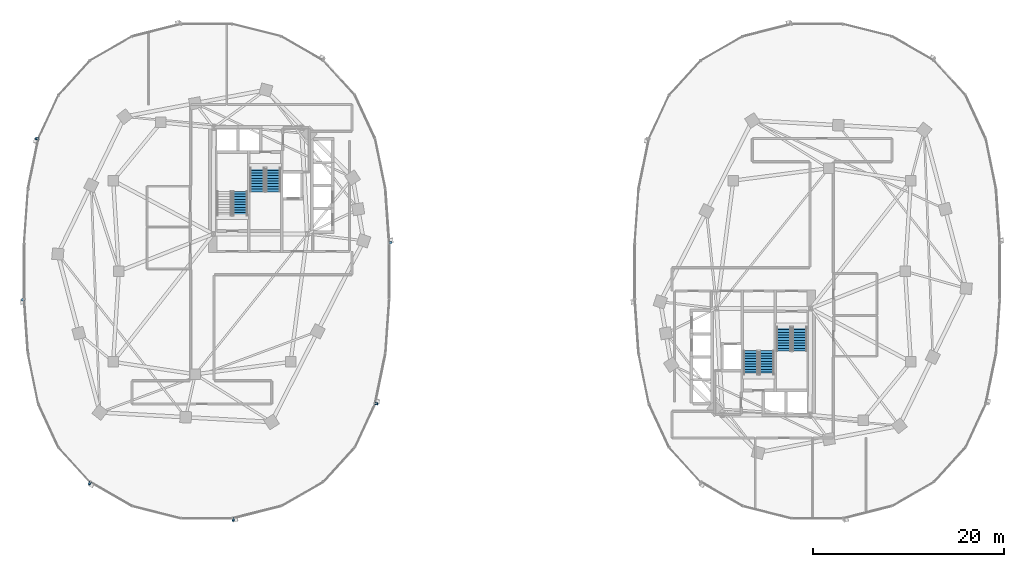
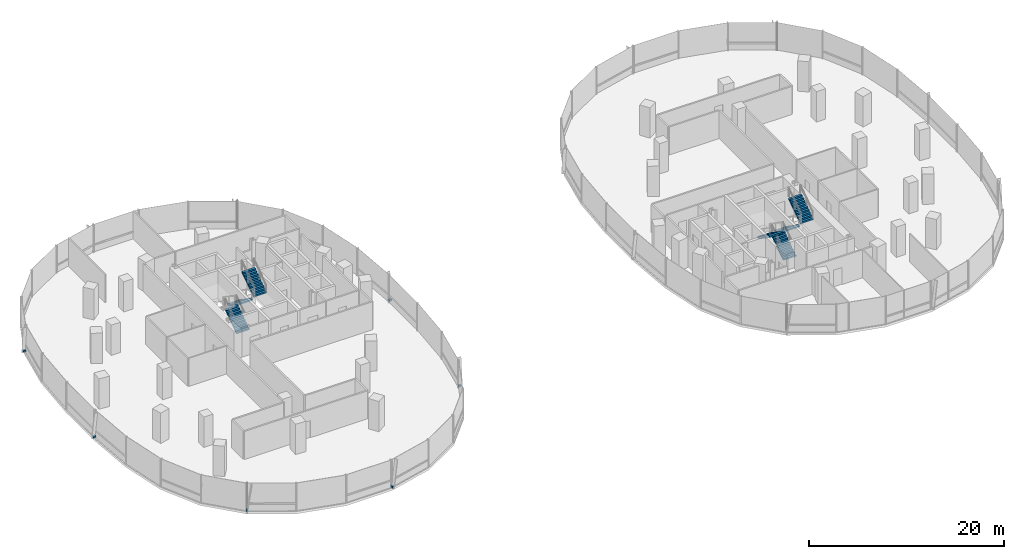
# One storey, part 14 of 21: 7 stair flights, 6 discrete accessories, 4 elements without a shape of their own.
"""IFC4 building model written with IfcOpenShell, lengths in metres."""

from ifc_helpers import new_model, si_unit, direction, frame, origin, origin_2d, place, context, subcontext, project, spatial, polyline, rectangle, outline, extrude, material, type_object, element, aggregate, save


model = new_model("IFC4")

# Units and contexts
model_context = context("Model", 3, precision=1e-05, world=origin(), true_north=direction((0.0, 1.0)))
body_context = subcontext(model_context, "Body", "Model", "MODEL_VIEW")
ifc_project = project(units=[si_unit("LENGTHUNIT", "METRE"), si_unit("AREAUNIT", "SQUARE_METRE"), si_unit("VOLUMEUNIT", "CUBIC_METRE"), si_unit("PLANEANGLEUNIT", "RADIAN"), si_unit("MASSUNIT", "GRAM", prefix="KILO"), si_unit("THERMODYNAMICTEMPERATUREUNIT", "KELVIN"), si_unit("POWERUNIT", "WATT")], contexts=[model_context])

# Site, building, storey
site_placement = place(None, origin())
site = spatial("IfcSite", under=ifc_project, at=site_placement, CompositionType="ELEMENT")
building_placement = place(site_placement, origin())
building = spatial("IfcBuilding", under=site, at=building_placement, Name="Cundina Bronze Exchange", CompositionType="ELEMENT")
storey_placement = place(building_placement, frame((0.0, 0.0, 69.60009765625)))
storey = spatial("IfcBuildingStorey", under=building, at=storey_placement, Name="L17", CompositionType="ELEMENT", Elevation=69.60009765625)

# Stair, stair flight
ifc_material_1 = material(Name="Concrete C40/50", Category="concrete")
stair_type = type_object("IfcStairType", Name="STR-TRD-380", PredefinedType="HALF_TURN_STAIR", material=ifc_material_1)
stair_1_placement = place(storey_placement, origin())
stair_1 = element("IfcStair", 1, at=stair_1_placement, inside=storey, type_object=stair_type, Name="L17 Smokeproof Exit Stair W1", PredefinedType="HALF_TURN_STAIR")
stair_flight_type = type_object("IfcStairFlightType", Name="FLG-TRD-190", PredefinedType="STRAIGHT", material=ifc_material_1)
stair_flight_1_placement = place(storey_placement, frame((-28.489990234375, 5.85009765625, 0.0), z_axis=(0.0, 0.0, 1.0), x_axis=(0.0, 1.0, 0.0)))
stair_flight_1 = element("IfcStairFlight", 2, at=stair_flight_1_placement, type_object=stair_flight_type, Name="ST-W1 flight 1", NumberOfRisers=10, NumberOfTreads=9, PredefinedType="STRAIGHT", RiserHeight=0.19, TreadLength=0.28, context=body_context, shape_type="SweptSolid", body=[
    extrude(outline(polyline([(0.0, 0.0), (0.0, 0.18994140625), (0.280029296875, 0.18994140625), (0.280029296875, 0.3798828125), (0.56005859375, 0.3798828125), (0.56005859375, 0.570068359375), (0.840087890625, 0.570068359375), (0.840087890625, 0.760009765625), (1.1201171875, 0.760009765625), (1.1201171875, 0.949951171875), (1.39990234375, 0.949951171875), (1.39990234375, 1.139892578125), (1.679931640625, 1.139892578125), (1.679931640625, 1.330078125), (1.9599609375, 1.330078125), (1.9599609375, 1.52001953125), (2.239990234375, 1.52001953125), (2.239990234375, 1.7099609375), (2.52001953125, 1.7099609375), (2.52001953125, 1.89990234375), (2.52001953125, 1.52880859375), (0.266845703125, 0.0), (0.0, 0.0)])), frame((0.0, 0.75, 0.0), z_axis=(0.0, -1.0, 0.0), x_axis=(1.0, 0.0, 0.0)), (0.0, 0.0, 1.0), 1.5),
])
aggregate(stair_1, [stair_flight_1])

# Stair, stair flights
stair_2_placement = place(storey_placement, origin())
stair_2 = element("IfcStair", 3, at=stair_2_placement, inside=storey, type_object=stair_type, Name="L17 Smokeproof Exit Stair W2", PredefinedType="HALF_TURN_STAIR")
stair_flight_2_placement = place(storey_placement, frame((-26.68994140625, 10.85009765625, 0.0), z_axis=(0.0, 0.0, 1.0), x_axis=(0.0, -1.0, 0.0)))
stair_flight_2 = element("IfcStairFlight", 4, at=stair_flight_2_placement, type_object=stair_flight_type, Name="ST-W2 flight 1", NumberOfRisers=10, NumberOfTreads=9, PredefinedType="STRAIGHT", RiserHeight=0.19, TreadLength=0.28, context=body_context, shape_type="SweptSolid", body=[
    extrude(outline(polyline([(0.0, 0.0), (0.0, 0.18994140625), (0.280029296875, 0.18994140625), (0.280029296875, 0.3798828125), (0.56005859375, 0.3798828125), (0.56005859375, 0.570068359375), (0.840087890625, 0.570068359375), (0.840087890625, 0.760009765625), (1.1201171875, 0.760009765625), (1.1201171875, 0.949951171875), (1.39990234375, 0.949951171875), (1.39990234375, 1.139892578125), (1.679931640625, 1.139892578125), (1.679931640625, 1.330078125), (1.9599609375, 1.330078125), (1.9599609375, 1.52001953125), (2.239990234375, 1.52001953125), (2.239990234375, 1.7099609375), (2.52001953125, 1.7099609375), (2.52001953125, 1.89990234375), (2.52001953125, 1.52880859375), (0.266845703125, 0.0), (0.0, 0.0)])), frame((0.0, 0.75, 0.0), z_axis=(0.0, -1.0, 0.0), x_axis=(1.0, 0.0, 0.0)), (0.0, 0.0, 1.0), 1.5),
])
stair_flight_3_placement = place(storey_placement, frame((-25.030029296875, 8.330078125, 1.89990234375), z_axis=(0.0, 0.0, 1.0), x_axis=(0.0, 1.0, 0.0)))
stair_flight_3 = element("IfcStairFlight", 5, at=stair_flight_3_placement, type_object=stair_flight_type, Name="ST-W2 flight 2", NumberOfRisers=10, NumberOfTreads=9, PredefinedType="STRAIGHT", RiserHeight=0.19, TreadLength=0.28, context=body_context, shape_type="SweptSolid", body=[
    extrude(outline(polyline([(0.0, 0.0), (0.0, 0.18994140625), (0.280029296875, 0.18994140625), (0.280029296875, 0.3798828125), (0.56005859375, 0.3798828125), (0.56005859375, 0.570068359375), (0.840087890625, 0.570068359375), (0.840087890625, 0.760009765625), (1.1201171875, 0.760009765625), (1.1201171875, 0.949951171875), (1.39990234375, 0.949951171875), (1.39990234375, 1.139892578125), (1.679931640625, 1.139892578125), (1.679931640625, 1.330078125), (1.9599609375, 1.330078125), (1.9599609375, 1.52001953125), (2.239990234375, 1.52001953125), (2.239990234375, 1.7099609375), (2.52001953125, 1.7099609375), (2.52001953125, 1.89990234375), (2.52001953125, 1.52880859375), (0.266845703125, 0.0), (0.0, 0.0)])), frame((0.0, 0.75, 0.0), z_axis=(0.0, -1.0, 0.0), x_axis=(1.0, 0.0, 0.0)), (0.0, 0.0, 1.0), 1.5),
])
aggregate(stair_2, [stair_flight_2, stair_flight_3])

stair_3_placement = place(storey_placement, origin())
stair_3 = element("IfcStair", 6, at=stair_3_placement, inside=storey, type_object=stair_type, Name="L17 Smokeproof Exit Stair E1", PredefinedType="HALF_TURN_STAIR")
stair_flight_4_placement = place(storey_placement, frame((28.489990234375, -5.85009765625, 0.0), z_axis=(0.0, 0.0, 1.0), x_axis=(0.0, -1.0, 0.0)))
stair_flight_4 = element("IfcStairFlight", 7, at=stair_flight_4_placement, type_object=stair_flight_type, Name="ST-E1 flight 1", NumberOfRisers=10, NumberOfTreads=9, PredefinedType="STRAIGHT", RiserHeight=0.19, TreadLength=0.28, context=body_context, shape_type="SweptSolid", body=[
    extrude(outline(polyline([(0.0, 0.0), (0.0, 0.18994140625), (0.280029296875, 0.18994140625), (0.280029296875, 0.3798828125), (0.56005859375, 0.3798828125), (0.56005859375, 0.570068359375), (0.840087890625, 0.570068359375), (0.840087890625, 0.760009765625), (1.1201171875, 0.760009765625), (1.1201171875, 0.949951171875), (1.39990234375, 0.949951171875), (1.39990234375, 1.139892578125), (1.679931640625, 1.139892578125), (1.679931640625, 1.330078125), (1.9599609375, 1.330078125), (1.9599609375, 1.52001953125), (2.239990234375, 1.52001953125), (2.239990234375, 1.7099609375), (2.52001953125, 1.7099609375), (2.52001953125, 1.89990234375), (2.52001953125, 1.52880859375), (0.266845703125, 0.0), (0.0, 0.0)])), frame((0.0, 0.75, 0.0), z_axis=(0.0, -1.0, 0.0), x_axis=(1.0, 0.0, 0.0)), (0.0, 0.0, 1.0), 1.5),
])
stair_flight_5_placement = place(storey_placement, frame((30.14990234375, -8.3701171875, 1.89990234375), z_axis=(0.0, 0.0, 1.0), x_axis=(0.0, 1.0, 0.0)))
stair_flight_5 = element("IfcStairFlight", 8, at=stair_flight_5_placement, type_object=stair_flight_type, Name="ST-E1 flight 2", NumberOfRisers=10, NumberOfTreads=9, PredefinedType="STRAIGHT", RiserHeight=0.19, TreadLength=0.28, context=body_context, shape_type="SweptSolid", body=[
    extrude(outline(polyline([(0.0, 0.0), (0.0, 0.18994140625), (0.280029296875, 0.18994140625), (0.280029296875, 0.3798828125), (0.56005859375, 0.3798828125), (0.56005859375, 0.570068359375), (0.840087890625, 0.570068359375), (0.840087890625, 0.760009765625), (1.1201171875, 0.760009765625), (1.1201171875, 0.949951171875), (1.39990234375, 0.949951171875), (1.39990234375, 1.139892578125), (1.679931640625, 1.139892578125), (1.679931640625, 1.330078125), (1.9599609375, 1.330078125), (1.9599609375, 1.52001953125), (2.239990234375, 1.52001953125), (2.239990234375, 1.7099609375), (2.52001953125, 1.7099609375), (2.52001953125, 1.89990234375), (2.52001953125, 1.52880859375), (0.266845703125, 0.0), (0.0, 0.0)])), frame((0.0, 0.75, 0.0), z_axis=(0.0, -1.0, 0.0), x_axis=(1.0, 0.0, 0.0)), (0.0, 0.0, 1.0), 1.5),
])
aggregate(stair_3, [stair_flight_4, stair_flight_5])

stair_4_placement = place(storey_placement, origin())
stair_4 = element("IfcStair", 9, at=stair_4_placement, inside=storey, type_object=stair_type, Name="L17 Smokeproof Exit Stair E2", PredefinedType="HALF_TURN_STAIR")
stair_flight_6_placement = place(storey_placement, frame((26.68994140625, -10.85009765625, 0.0), z_axis=(0.0, 0.0, 1.0), x_axis=(0.0, 1.0, 0.0)))
stair_flight_6 = element("IfcStairFlight", 10, at=stair_flight_6_placement, type_object=stair_flight_type, Name="ST-E2 flight 1", NumberOfRisers=10, NumberOfTreads=9, PredefinedType="STRAIGHT", RiserHeight=0.19, TreadLength=0.28, context=body_context, shape_type="SweptSolid", body=[
    extrude(outline(polyline([(0.0, 0.0), (0.0, 0.18994140625), (0.280029296875, 0.18994140625), (0.280029296875, 0.3798828125), (0.56005859375, 0.3798828125), (0.56005859375, 0.570068359375), (0.840087890625, 0.570068359375), (0.840087890625, 0.760009765625), (1.1201171875, 0.760009765625), (1.1201171875, 0.949951171875), (1.39990234375, 0.949951171875), (1.39990234375, 1.139892578125), (1.679931640625, 1.139892578125), (1.679931640625, 1.330078125), (1.9599609375, 1.330078125), (1.9599609375, 1.52001953125), (2.239990234375, 1.52001953125), (2.239990234375, 1.7099609375), (2.52001953125, 1.7099609375), (2.52001953125, 1.89990234375), (2.52001953125, 1.52880859375), (0.266845703125, 0.0), (0.0, 0.0)])), frame((0.0, 0.75, 0.0), z_axis=(0.0, -1.0, 0.0), x_axis=(1.0, 0.0, 0.0)), (0.0, 0.0, 1.0), 1.5),
])
stair_flight_7_placement = place(storey_placement, frame((25.030029296875, -8.330078125, 1.89990234375), z_axis=(0.0, 0.0, 1.0), x_axis=(0.0, -1.0, 0.0)))
stair_flight_7 = element("IfcStairFlight", 11, at=stair_flight_7_placement, type_object=stair_flight_type, Name="ST-E2 flight 2", NumberOfRisers=10, NumberOfTreads=9, PredefinedType="STRAIGHT", RiserHeight=0.19, TreadLength=0.28, context=body_context, shape_type="SweptSolid", body=[
    extrude(outline(polyline([(0.0, 0.0), (0.0, 0.18994140625), (0.280029296875, 0.18994140625), (0.280029296875, 0.3798828125), (0.56005859375, 0.3798828125), (0.56005859375, 0.570068359375), (0.840087890625, 0.570068359375), (0.840087890625, 0.760009765625), (1.1201171875, 0.760009765625), (1.1201171875, 0.949951171875), (1.39990234375, 0.949951171875), (1.39990234375, 1.139892578125), (1.679931640625, 1.139892578125), (1.679931640625, 1.330078125), (1.9599609375, 1.330078125), (1.9599609375, 1.52001953125), (2.239990234375, 1.52001953125), (2.239990234375, 1.7099609375), (2.52001953125, 1.7099609375), (2.52001953125, 1.89990234375), (2.52001953125, 1.52880859375), (0.266845703125, 0.0), (0.0, 0.0)])), frame((0.0, 0.75, 0.0), z_axis=(0.0, -1.0, 0.0), x_axis=(1.0, 0.0, 0.0)), (0.0, 0.0, 1.0), 1.5),
])
aggregate(stair_4, [stair_flight_6, stair_flight_7])

# Discrete accessories
ifc_material_2 = material(Name="Anodised Bronze Aluminium 6063-T6", Category="aluminium")
discrete_accessory_type = type_object("IfcDiscreteAccessoryType", Name="ACC-BRK-FIN", PredefinedType="BRACKET", material=ifc_material_2)
for number, where, z_axis, x_axis, name in (
    (12, (-12.735595703125, 2.986083984375, 0.10009765625), (0.0, 0.0, 1.0), (-0.070278787473, 0.997527389113, 0.0), "L17 Fin Support Bracket 1"),
    (13, (-49.788330078125, 13.8896484375, 0.10009765625), (0.0, 0.0, 1.0), (-0.201419845156, -0.979505000486, 0.0), "L17 Fin Support Bracket 5"),
    (14, (-51.264404296875, -2.986083984375, 0.10009765625), (0.0, 0.0, 1.0), (0.070278787473, -0.997527389113, 0.0), "L17 Fin Support Bracket 1"),
    (15, (-44.259521484375, -22.21875, 0.10009765625), (0.0, 0.0, 1.0), (0.867105478933, -0.498124571171, 0.0), "L17 Fin Support Bracket 5"),
    (16, (-29.23974609375, -26.03173828125, 0.10009765625), (0.0, 0.0, 1.0), (0.969488149345, 0.245138182011, 0.0), "L17 Fin Support Bracket 1"),
    (17, (-14.211669921875, -13.8896484375, 0.10009765625), (0.0, 0.0, 1.0), (0.201419845156, 0.979505000486, 0.0), "L17 Fin Support Bracket 5"),
):
    element("IfcDiscreteAccessory", number, at=place(storey_placement, frame(where, z_axis=z_axis, x_axis=x_axis)), inside=storey, type_object=discrete_accessory_type, Name=name, PredefinedType="BRACKET", context=body_context, shape_type="SweptSolid", body=[
        extrude(rectangle(XDim=0.219970703125, YDim=0.320068359375, at=origin_2d()), origin(), (0.0, 0.0, 1.0), 0.239990234375),
    ])

save(model, "model.ifc")
